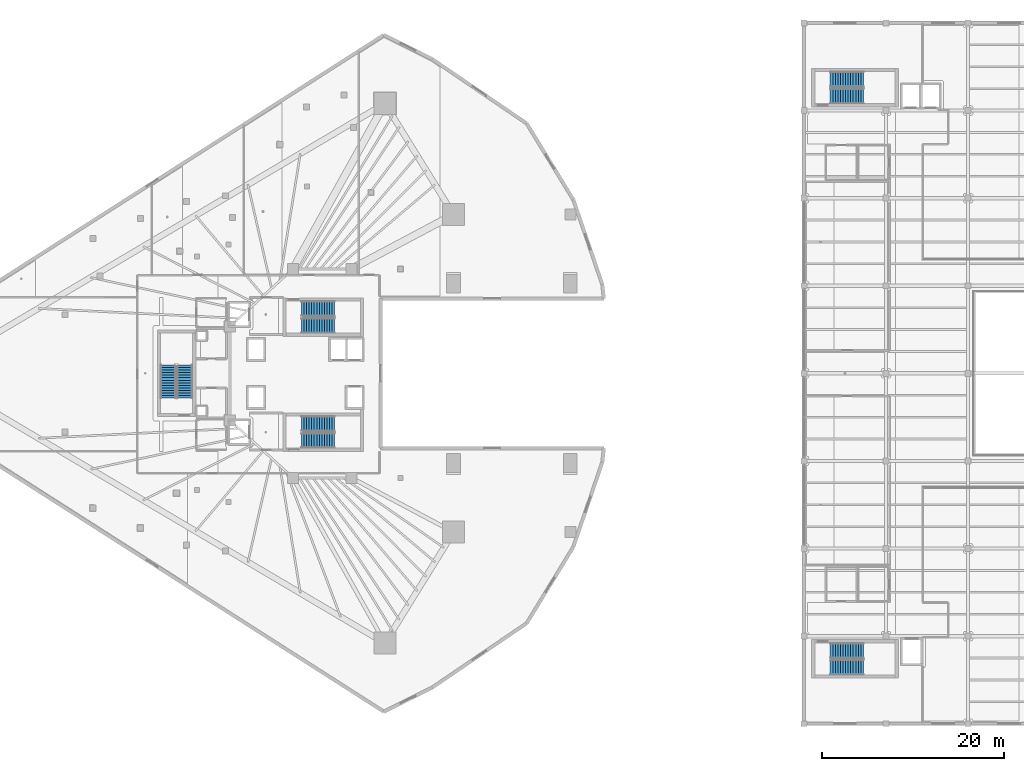
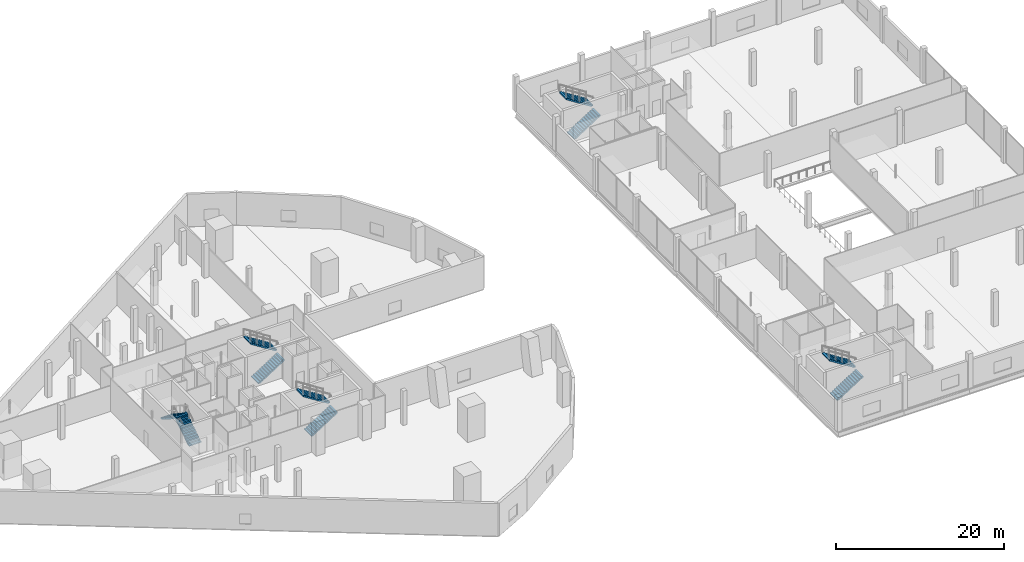
# One storey, part 35 of 46: 10 stair flights, 5 elements without a shape of their own.
"""IFC4 building model written with IfcOpenShell, lengths in metres."""

from ifc_helpers import new_model, si_unit, direction, frame, origin, place, context, subcontext, project, spatial, polyline, outline, extrude, material, layer, layer_set, type_object, element, aggregate, save


model = new_model("IFC4")

# Units and contexts
model_context = context("Model", 3, precision=1e-05, world=origin(), true_north=direction((0.0, 1.0)))
body_context = subcontext(model_context, "Body", "Model", "MODEL_VIEW")
ifc_project = project(units=[si_unit("LENGTHUNIT", "METRE"), si_unit("AREAUNIT", "SQUARE_METRE"), si_unit("VOLUMEUNIT", "CUBIC_METRE"), si_unit("PLANEANGLEUNIT", "RADIAN"), si_unit("MASSUNIT", "GRAM", prefix="KILO")], contexts=[model_context])

# Site, building, storey
site_placement = place(None, origin())
site = spatial("IfcSite", under=ifc_project, at=site_placement, CompositionType="ELEMENT")
building_placement = place(site_placement, origin())
building = spatial("IfcBuilding", under=site, at=building_placement, Name="Qorvath Tower", CompositionType="ELEMENT")
storey_placement = place(building_placement, frame((0.0, 0.0, 17.0)))
storey = spatial("IfcBuildingStorey", under=building, at=storey_placement, Name="L03", CompositionType="ELEMENT", Elevation=17.0)

# Stair, stair flights
ifc_material_1 = material(Name="Concrete C50/60", Category="concrete")
stair_type = type_object("IfcStairType", Name="ST-H500", PredefinedType="HALF_TURN_STAIR", material=ifc_material_1)
stair_1_placement = place(storey_placement, origin())
stair_1 = element("IfcStair", 1, at=stair_1_placement, inside=storey, type_object=stair_type, Name="L03 Library Exit Stair 1", PredefinedType="HALF_TURN_STAIR")
ifc_material_2 = material(Name="Concrete C50/60", Category="concrete")
ifc_layer = layer(ifc_material_2, 0.14990234375)
ifc_layer_set = layer_set([ifc_layer], Name="SF-H500")
stair_flight_type = type_object("IfcStairFlightType", Name="SF-H500", PredefinedType="STRAIGHT", material=ifc_layer_set)
stair_flight_1_placement = place(storey_placement, frame((35.280029296875, 30.389892578125, 0.0), z_axis=(0.0, 0.0, 1.0), x_axis=(1.0, 0.0, 0.0)))
stair_flight_1 = element("IfcStairFlight", 2, at=stair_flight_1_placement, type_object=stair_flight_type, Name="LS1 flight 1", NumberOfRisers=14, NumberOfTreads=13, PredefinedType="STRAIGHT", RiserHeight=0.178571429, TreadLength=0.28, context=body_context, shape_type="SweptSolid", body=[
    extrude(outline(polyline([(0.0, 0.0), (0.0, 0.178466796875), (0.280029296875, 0.178466796875), (0.280029296875, 0.357177734375), (0.56005859375, 0.357177734375), (0.56005859375, 0.53564453125), (0.840087890625, 0.53564453125), (0.840087890625, 0.71435546875), (1.1201171875, 0.71435546875), (1.1201171875, 0.892822265625), (1.39990234375, 0.892822265625), (1.39990234375, 1.071533203125), (1.679931640625, 1.071533203125), (1.679931640625, 1.25), (1.9599609375, 1.25), (1.9599609375, 1.428466796875), (2.239990234375, 1.428466796875), (2.239990234375, 1.607177734375), (2.52001953125, 1.607177734375), (2.52001953125, 1.78564453125), (2.800048828125, 1.78564453125), (2.800048828125, 1.96435546875), (3.080078125, 1.96435546875), (3.080078125, 2.142822265625), (3.360107421875, 2.142822265625), (3.360107421875, 2.321533203125), (3.639892578125, 2.321533203125), (3.639892578125, 2.5), (3.639892578125, 2.1435546875), (0.27880859375, 0.0), (0.0, 0.0)])), frame((0.0, 0.83984375, 0.0), z_axis=(0.0, -1.0, 0.0), x_axis=(1.0, 0.0, 0.0)), (0.0, 0.0, 1.0), 1.679931640625),
])
stair_flight_2_placement = place(storey_placement, frame((38.919921875, 32.219970703125, 2.5), z_axis=(0.0, 0.0, 1.0), x_axis=(-1.0, 0.0, 0.0)))
stair_flight_2 = element("IfcStairFlight", 3, at=stair_flight_2_placement, type_object=stair_flight_type, Name="LS1 flight 2", NumberOfRisers=14, NumberOfTreads=13, PredefinedType="STRAIGHT", RiserHeight=0.178571429, TreadLength=0.28, context=body_context, shape_type="SweptSolid", body=[
    extrude(outline(polyline([(0.0, 0.0), (0.0, 0.178466796875), (0.280029296875, 0.178466796875), (0.280029296875, 0.357177734375), (0.56005859375, 0.357177734375), (0.56005859375, 0.53564453125), (0.840087890625, 0.53564453125), (0.840087890625, 0.71435546875), (1.1201171875, 0.71435546875), (1.1201171875, 0.892822265625), (1.39990234375, 0.892822265625), (1.39990234375, 1.071533203125), (1.679931640625, 1.071533203125), (1.679931640625, 1.25), (1.9599609375, 1.25), (1.9599609375, 1.428466796875), (2.239990234375, 1.428466796875), (2.239990234375, 1.607177734375), (2.52001953125, 1.607177734375), (2.52001953125, 1.78564453125), (2.800048828125, 1.78564453125), (2.800048828125, 1.96435546875), (3.080078125, 1.96435546875), (3.080078125, 2.142822265625), (3.360107421875, 2.142822265625), (3.360107421875, 2.321533203125), (3.639892578125, 2.321533203125), (3.639892578125, 2.5), (3.639892578125, 2.1435546875), (0.27880859375, 0.0), (0.0, 0.0)])), frame((0.0, 0.83984375, 0.0), z_axis=(0.0, -1.0, 0.0), x_axis=(1.0, 0.0, 0.0)), (0.0, 0.0, 1.0), 1.679931640625),
])
aggregate(stair_1, [stair_flight_1, stair_flight_2])

stair_2_placement = place(storey_placement, origin())
stair_2 = element("IfcStair", 4, at=stair_2_placement, inside=storey, type_object=stair_type, Name="L03 Library Exit Stair 2", PredefinedType="HALF_TURN_STAIR")
stair_flight_3_placement = place(storey_placement, frame((35.280029296875, -32.2099609375, 0.0), z_axis=(0.0, 0.0, 1.0), x_axis=(1.0, 0.0, 0.0)))
stair_flight_3 = element("IfcStairFlight", 5, at=stair_flight_3_placement, type_object=stair_flight_type, Name="LS2 flight 1", NumberOfRisers=14, NumberOfTreads=13, PredefinedType="STRAIGHT", RiserHeight=0.178571429, TreadLength=0.28, context=body_context, shape_type="SweptSolid", body=[
    extrude(outline(polyline([(0.0, 0.0), (0.0, 0.178466796875), (0.280029296875, 0.178466796875), (0.280029296875, 0.357177734375), (0.56005859375, 0.357177734375), (0.56005859375, 0.53564453125), (0.840087890625, 0.53564453125), (0.840087890625, 0.71435546875), (1.1201171875, 0.71435546875), (1.1201171875, 0.892822265625), (1.39990234375, 0.892822265625), (1.39990234375, 1.071533203125), (1.679931640625, 1.071533203125), (1.679931640625, 1.25), (1.9599609375, 1.25), (1.9599609375, 1.428466796875), (2.239990234375, 1.428466796875), (2.239990234375, 1.607177734375), (2.52001953125, 1.607177734375), (2.52001953125, 1.78564453125), (2.800048828125, 1.78564453125), (2.800048828125, 1.96435546875), (3.080078125, 1.96435546875), (3.080078125, 2.142822265625), (3.360107421875, 2.142822265625), (3.360107421875, 2.321533203125), (3.639892578125, 2.321533203125), (3.639892578125, 2.5), (3.639892578125, 2.1435546875), (0.27880859375, 0.0), (0.0, 0.0)])), frame((0.0, 0.83984375, 0.0), z_axis=(0.0, -1.0, 0.0), x_axis=(1.0, 0.0, 0.0)), (0.0, 0.0, 1.0), 1.679931640625),
])
stair_flight_4_placement = place(storey_placement, frame((38.919921875, -30.3798828125, 2.5), z_axis=(0.0, 0.0, 1.0), x_axis=(-1.0, 0.0, 0.0)))
stair_flight_4 = element("IfcStairFlight", 6, at=stair_flight_4_placement, type_object=stair_flight_type, Name="LS2 flight 2", NumberOfRisers=14, NumberOfTreads=13, PredefinedType="STRAIGHT", RiserHeight=0.178571429, TreadLength=0.28, context=body_context, shape_type="SweptSolid", body=[
    extrude(outline(polyline([(0.0, 0.0), (0.0, 0.178466796875), (0.280029296875, 0.178466796875), (0.280029296875, 0.357177734375), (0.56005859375, 0.357177734375), (0.56005859375, 0.53564453125), (0.840087890625, 0.53564453125), (0.840087890625, 0.71435546875), (1.1201171875, 0.71435546875), (1.1201171875, 0.892822265625), (1.39990234375, 0.892822265625), (1.39990234375, 1.071533203125), (1.679931640625, 1.071533203125), (1.679931640625, 1.25), (1.9599609375, 1.25), (1.9599609375, 1.428466796875), (2.239990234375, 1.428466796875), (2.239990234375, 1.607177734375), (2.52001953125, 1.607177734375), (2.52001953125, 1.78564453125), (2.800048828125, 1.78564453125), (2.800048828125, 1.96435546875), (3.080078125, 1.96435546875), (3.080078125, 2.142822265625), (3.360107421875, 2.142822265625), (3.360107421875, 2.321533203125), (3.639892578125, 2.321533203125), (3.639892578125, 2.5), (3.639892578125, 2.1435546875), (0.27880859375, 0.0), (0.0, 0.0)])), frame((0.0, 0.83984375, 0.0), z_axis=(0.0, -1.0, 0.0), x_axis=(1.0, 0.0, 0.0)), (0.0, 0.0, 1.0), 1.679931640625),
])
aggregate(stair_2, [stair_flight_3, stair_flight_4])

stair_3_placement = place(storey_placement, origin())
stair_3 = element("IfcStair", 7, at=stair_3_placement, inside=storey, type_object=stair_type, Name="L03 Tower Exit Stair 1", PredefinedType="HALF_TURN_STAIR")
stair_flight_5_placement = place(storey_placement, frame((-22.669921875, 5.239990234375, 0.0), z_axis=(0.0, 0.0, 1.0), x_axis=(1.0, 0.0, 0.0)))
stair_flight_5 = element("IfcStairFlight", 8, at=stair_flight_5_placement, type_object=stair_flight_type, Name="TS1 flight 1", NumberOfRisers=14, NumberOfTreads=13, PredefinedType="STRAIGHT", RiserHeight=0.178571429, TreadLength=0.28, context=body_context, shape_type="SweptSolid", body=[
    extrude(outline(polyline([(0.0, 0.0), (0.0, 0.178466796875), (0.280029296875, 0.178466796875), (0.280029296875, 0.357177734375), (0.56005859375, 0.357177734375), (0.56005859375, 0.53564453125), (0.840087890625, 0.53564453125), (0.840087890625, 0.71435546875), (1.1201171875, 0.71435546875), (1.1201171875, 0.892822265625), (1.39990234375, 0.892822265625), (1.39990234375, 1.071533203125), (1.679931640625, 1.071533203125), (1.679931640625, 1.25), (1.9599609375, 1.25), (1.9599609375, 1.428466796875), (2.239990234375, 1.428466796875), (2.239990234375, 1.607177734375), (2.52001953125, 1.607177734375), (2.52001953125, 1.78564453125), (2.800048828125, 1.78564453125), (2.800048828125, 1.96435546875), (3.080078125, 1.96435546875), (3.080078125, 2.142822265625), (3.360107421875, 2.142822265625), (3.360107421875, 2.321533203125), (3.639892578125, 2.321533203125), (3.639892578125, 2.5), (3.639892578125, 2.1435546875), (0.27880859375, 0.0), (0.0, 0.0)])), frame((0.0, 0.83984375, 0.0), z_axis=(0.0, -1.0, 0.0), x_axis=(1.0, 0.0, 0.0)), (0.0, 0.0, 1.0), 1.679931640625),
])
stair_flight_6_placement = place(storey_placement, frame((-19.030029296875, 7.070068359375, 2.5), z_axis=(0.0, 0.0, 1.0), x_axis=(-1.0, 0.0, 0.0)))
stair_flight_6 = element("IfcStairFlight", 9, at=stair_flight_6_placement, type_object=stair_flight_type, Name="TS1 flight 2", NumberOfRisers=14, NumberOfTreads=13, PredefinedType="STRAIGHT", RiserHeight=0.178571429, TreadLength=0.28, context=body_context, shape_type="SweptSolid", body=[
    extrude(outline(polyline([(0.0, 0.0), (0.0, 0.178466796875), (0.280029296875, 0.178466796875), (0.280029296875, 0.357177734375), (0.56005859375, 0.357177734375), (0.56005859375, 0.53564453125), (0.840087890625, 0.53564453125), (0.840087890625, 0.71435546875), (1.1201171875, 0.71435546875), (1.1201171875, 0.892822265625), (1.39990234375, 0.892822265625), (1.39990234375, 1.071533203125), (1.679931640625, 1.071533203125), (1.679931640625, 1.25), (1.9599609375, 1.25), (1.9599609375, 1.428466796875), (2.239990234375, 1.428466796875), (2.239990234375, 1.607177734375), (2.52001953125, 1.607177734375), (2.52001953125, 1.78564453125), (2.800048828125, 1.78564453125), (2.800048828125, 1.96435546875), (3.080078125, 1.96435546875), (3.080078125, 2.142822265625), (3.360107421875, 2.142822265625), (3.360107421875, 2.321533203125), (3.639892578125, 2.321533203125), (3.639892578125, 2.5), (3.639892578125, 2.1435546875), (0.27880859375, 0.0), (0.0, 0.0)])), frame((0.0, 0.83984375, 0.0), z_axis=(0.0, -1.0, 0.0), x_axis=(1.0, 0.0, 0.0)), (0.0, 0.0, 1.0), 1.679931640625),
])
aggregate(stair_3, [stair_flight_5, stair_flight_6])

stair_4_placement = place(storey_placement, origin())
stair_4 = element("IfcStair", 10, at=stair_4_placement, inside=storey, type_object=stair_type, Name="L03 Tower Exit Stair 2", PredefinedType="HALF_TURN_STAIR")
stair_flight_7_placement = place(storey_placement, frame((-22.669921875, -7.360107421875, 0.0), z_axis=(0.0, 0.0, 1.0), x_axis=(1.0, 0.0, 0.0)))
stair_flight_7 = element("IfcStairFlight", 11, at=stair_flight_7_placement, type_object=stair_flight_type, Name="TS2 flight 1", NumberOfRisers=14, NumberOfTreads=13, PredefinedType="STRAIGHT", RiserHeight=0.178571429, TreadLength=0.28, context=body_context, shape_type="SweptSolid", body=[
    extrude(outline(polyline([(0.0, 0.0), (0.0, 0.178466796875), (0.280029296875, 0.178466796875), (0.280029296875, 0.357177734375), (0.56005859375, 0.357177734375), (0.56005859375, 0.53564453125), (0.840087890625, 0.53564453125), (0.840087890625, 0.71435546875), (1.1201171875, 0.71435546875), (1.1201171875, 0.892822265625), (1.39990234375, 0.892822265625), (1.39990234375, 1.071533203125), (1.679931640625, 1.071533203125), (1.679931640625, 1.25), (1.9599609375, 1.25), (1.9599609375, 1.428466796875), (2.239990234375, 1.428466796875), (2.239990234375, 1.607177734375), (2.52001953125, 1.607177734375), (2.52001953125, 1.78564453125), (2.800048828125, 1.78564453125), (2.800048828125, 1.96435546875), (3.080078125, 1.96435546875), (3.080078125, 2.142822265625), (3.360107421875, 2.142822265625), (3.360107421875, 2.321533203125), (3.639892578125, 2.321533203125), (3.639892578125, 2.5), (3.639892578125, 2.1435546875), (0.27880859375, 0.0), (0.0, 0.0)])), frame((0.0, 0.83984375, 0.0), z_axis=(0.0, -1.0, 0.0), x_axis=(1.0, 0.0, 0.0)), (0.0, 0.0, 1.0), 1.679931640625),
])
stair_flight_8_placement = place(storey_placement, frame((-19.030029296875, -5.530029296875, 2.5), z_axis=(0.0, 0.0, 1.0), x_axis=(-1.0, 0.0, 0.0)))
stair_flight_8 = element("IfcStairFlight", 12, at=stair_flight_8_placement, type_object=stair_flight_type, Name="TS2 flight 2", NumberOfRisers=14, NumberOfTreads=13, PredefinedType="STRAIGHT", RiserHeight=0.178571429, TreadLength=0.28, context=body_context, shape_type="SweptSolid", body=[
    extrude(outline(polyline([(0.0, 0.0), (0.0, 0.178466796875), (0.280029296875, 0.178466796875), (0.280029296875, 0.357177734375), (0.56005859375, 0.357177734375), (0.56005859375, 0.53564453125), (0.840087890625, 0.53564453125), (0.840087890625, 0.71435546875), (1.1201171875, 0.71435546875), (1.1201171875, 0.892822265625), (1.39990234375, 0.892822265625), (1.39990234375, 1.071533203125), (1.679931640625, 1.071533203125), (1.679931640625, 1.25), (1.9599609375, 1.25), (1.9599609375, 1.428466796875), (2.239990234375, 1.428466796875), (2.239990234375, 1.607177734375), (2.52001953125, 1.607177734375), (2.52001953125, 1.78564453125), (2.800048828125, 1.78564453125), (2.800048828125, 1.96435546875), (3.080078125, 1.96435546875), (3.080078125, 2.142822265625), (3.360107421875, 2.142822265625), (3.360107421875, 2.321533203125), (3.639892578125, 2.321533203125), (3.639892578125, 2.5), (3.639892578125, 2.1435546875), (0.27880859375, 0.0), (0.0, 0.0)])), frame((0.0, 0.83984375, 0.0), z_axis=(0.0, -1.0, 0.0), x_axis=(1.0, 0.0, 0.0)), (0.0, 0.0, 1.0), 1.679931640625),
])
aggregate(stair_4, [stair_flight_7, stair_flight_8])

stair_5_placement = place(storey_placement, origin())
stair_5 = element("IfcStair", 13, at=stair_5_placement, inside=storey, type_object=stair_type, Name="L03 Tower Exit Stair 3", PredefinedType="HALF_TURN_STAIR")
stair_flight_9_placement = place(storey_placement, frame((-35.43994140625, -2.719970703125, 0.0), z_axis=(0.0, 0.0, 1.0), x_axis=(0.0, 1.0, 0.0)))
stair_flight_9 = element("IfcStairFlight", 14, at=stair_flight_9_placement, type_object=stair_flight_type, Name="TS3 flight 1", NumberOfRisers=14, NumberOfTreads=13, PredefinedType="STRAIGHT", RiserHeight=0.178571429, TreadLength=0.28, context=body_context, shape_type="SweptSolid", body=[
    extrude(outline(polyline([(0.0, 0.0), (0.0, 0.178466796875), (0.280029296875, 0.178466796875), (0.280029296875, 0.357177734375), (0.56005859375, 0.357177734375), (0.56005859375, 0.53564453125), (0.840087890625, 0.53564453125), (0.840087890625, 0.71435546875), (1.1201171875, 0.71435546875), (1.1201171875, 0.892822265625), (1.39990234375, 0.892822265625), (1.39990234375, 1.071533203125), (1.679931640625, 1.071533203125), (1.679931640625, 1.25), (1.9599609375, 1.25), (1.9599609375, 1.428466796875), (2.239990234375, 1.428466796875), (2.239990234375, 1.607177734375), (2.52001953125, 1.607177734375), (2.52001953125, 1.78564453125), (2.800048828125, 1.78564453125), (2.800048828125, 1.96435546875), (3.080078125, 1.96435546875), (3.080078125, 2.142822265625), (3.360107421875, 2.142822265625), (3.360107421875, 2.321533203125), (3.639892578125, 2.321533203125), (3.639892578125, 2.5), (3.639892578125, 2.1435546875), (0.27880859375, 0.0), (0.0, 0.0)])), frame((0.0, 0.83984375, 0.0), z_axis=(0.0, -1.0, 0.0), x_axis=(1.0, 0.0, 0.0)), (0.0, 0.0, 1.0), 1.679931640625),
])
stair_flight_10_placement = place(storey_placement, frame((-37.27001953125, 0.919921875, 2.5), z_axis=(0.0, 0.0, 1.0), x_axis=(0.0, -1.0, 0.0)))
stair_flight_10 = element("IfcStairFlight", 15, at=stair_flight_10_placement, type_object=stair_flight_type, Name="TS3 flight 2", NumberOfRisers=14, NumberOfTreads=13, PredefinedType="STRAIGHT", RiserHeight=0.178571429, TreadLength=0.28, context=body_context, shape_type="SweptSolid", body=[
    extrude(outline(polyline([(0.0, 0.0), (0.0, 0.178466796875), (0.280029296875, 0.178466796875), (0.280029296875, 0.357177734375), (0.56005859375, 0.357177734375), (0.56005859375, 0.53564453125), (0.840087890625, 0.53564453125), (0.840087890625, 0.71435546875), (1.1201171875, 0.71435546875), (1.1201171875, 0.892822265625), (1.39990234375, 0.892822265625), (1.39990234375, 1.071533203125), (1.679931640625, 1.071533203125), (1.679931640625, 1.25), (1.9599609375, 1.25), (1.9599609375, 1.428466796875), (2.239990234375, 1.428466796875), (2.239990234375, 1.607177734375), (2.52001953125, 1.607177734375), (2.52001953125, 1.78564453125), (2.800048828125, 1.78564453125), (2.800048828125, 1.96435546875), (3.080078125, 1.96435546875), (3.080078125, 2.142822265625), (3.360107421875, 2.142822265625), (3.360107421875, 2.321533203125), (3.639892578125, 2.321533203125), (3.639892578125, 2.5), (3.639892578125, 2.1435546875), (0.27880859375, 0.0), (0.0, 0.0)])), frame((0.0, 0.83984375, 0.0), z_axis=(0.0, -1.0, 0.0), x_axis=(1.0, 0.0, 0.0)), (0.0, 0.0, 1.0), 1.679931640625),
])
aggregate(stair_5, [stair_flight_9, stair_flight_10])

save(model, "model.ifc")
